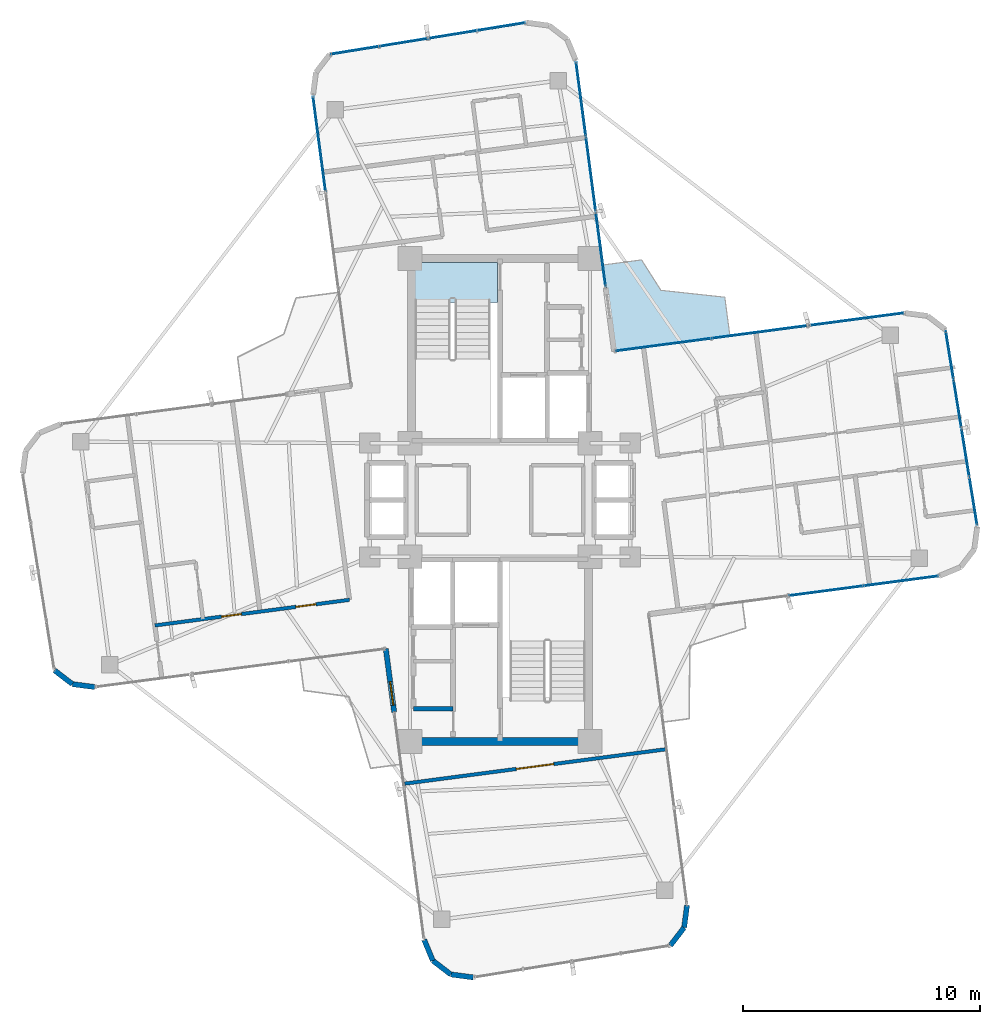
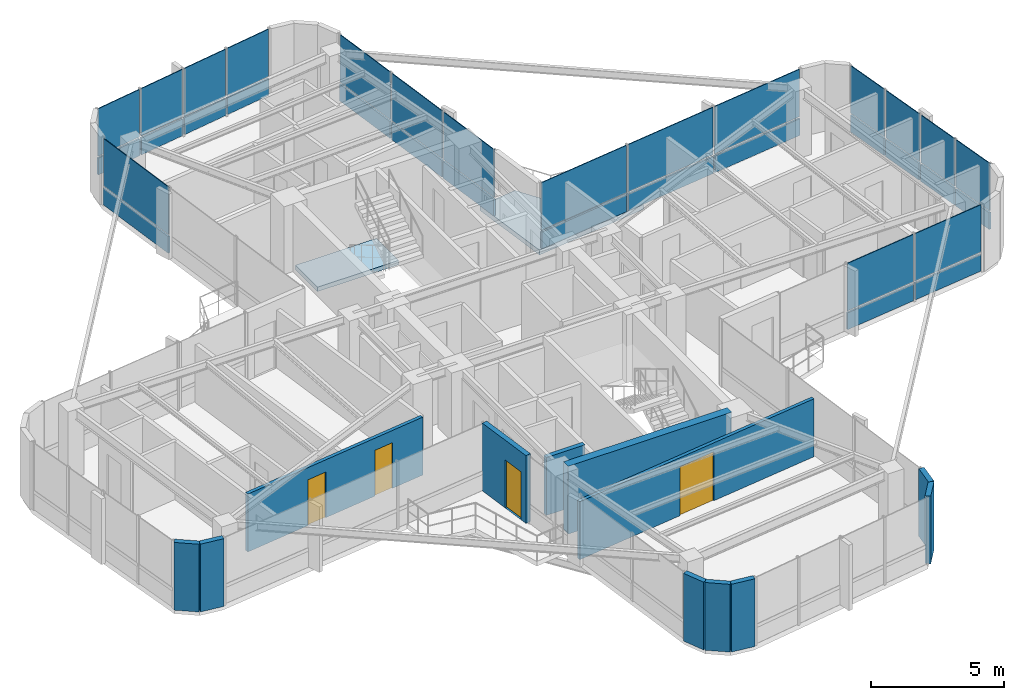
# One storey, part 18 of 22: 34 plates, 12 walls, 4 doors, 2 slabs, 4 openings, 6 elements without a shape of their own.
"""IFC4 building model written with IfcOpenShell, lengths in metres."""

from ifc_helpers import new_model, si_unit, direction, frame, frame_2d, origin, origin_2d, place, context, subcontext, project, spatial, polyline, rectangle, outline, extrude, source, transform, mapped, material, layer, layer_set, type_object, element, fill, aggregate, save


model = new_model("IFC4")

# Units and contexts
model_context = context("Model", 3, precision=1e-05, world=origin(), true_north=direction((0.0, 1.0)))
body_context = subcontext(model_context, "Body", "Model", "MODEL_VIEW")
ifc_project = project(units=[si_unit("LENGTHUNIT", "METRE"), si_unit("AREAUNIT", "SQUARE_METRE"), si_unit("VOLUMEUNIT", "CUBIC_METRE"), si_unit("PLANEANGLEUNIT", "RADIAN"), si_unit("MASSUNIT", "GRAM", prefix="KILO")], contexts=[model_context])

# Site, building, storey
site_placement = place(None, origin())
site = spatial("IfcSite", under=ifc_project, at=site_placement, CompositionType="ELEMENT")
building_placement = place(site_placement, origin())
building = spatial("IfcBuilding", under=site, at=building_placement, Name="Sahyath Konkavel Grand Hotel", CompositionType="ELEMENT")
storey_placement = place(building_placement, frame((0.0, 0.0, 272.449951171875)))
storey = spatial("IfcBuildingStorey", under=building, at=storey_placement, Name="L76", CompositionType="ELEMENT", Elevation=272.449951171875)

# Slabs
ifc_material_1 = material(Name="Concrete C40/50", Category="concrete")
ifc_layer_1 = layer(ifc_material_1, 0.219970703125)
ifc_layer_set_1 = layer_set([ifc_layer_1], Name="Concrete C40/50")
slab_type_1 = type_object("IfcSlabType", Name="SLB-BALCONY-220", PredefinedType="FLOOR", material=ifc_layer_set_1)
slab_1_placement = place(storey_placement, frame((0.0, 0.0, -0.219970703125)))
element("IfcSlab", 1, at=slab_1_placement, inside=storey, type_object=slab_type_1, Name="L76 Winter-Garden Balcony NE", PredefinedType="FLOOR", context=body_context, shape_type="SweptSolid", body=[
    extrude(outline(polyline([(4.821044921875, 6.282958984375), (9.7080078125, 6.926513671875), (9.49267578125, 8.5625), (6.79443359375, 8.8544921875), (5.97802734375, 10.137939453125), (4.342041015625, 9.922607421875), (4.821044921875, 6.282958984375)])), origin(), (0.0, 0.0, 1.0), 0.219970703125),
])
ifc_layer_2 = layer(ifc_material_1, 0.199951171875)
ifc_layer_set_2 = layer_set([ifc_layer_2], Name="Concrete C40/50")
slab_type_2 = type_object("IfcSlabType", Name="SLB-STAIR-LND", PredefinedType="LANDING", material=ifc_layer_set_2)
slab_2_placement = place(storey_placement, frame((0.0, 0.0, -0.199951171875)))
element("IfcSlab", 2, at=slab_2_placement, inside=storey, type_object=slab_type_2, Name="L76 Stair ST-1 Floor Landing Slab", PredefinedType="LANDING", context=body_context, shape_type="SweptSolid", body=[
    extrude(outline(polyline([(-3.6201171875, 8.35009765625), (-0.10009765625, 8.35009765625), (-0.10009765625, 10.02001953125), (-3.6201171875, 10.02001953125), (-3.6201171875, 8.35009765625)])), origin(), (0.0, 0.0, 1.0), 0.199951171875),
])

# Curtain wall, plates
ifc_material_2 = material(Name="Anodised Bronze Aluminium & Low-E Glazing", Category="aluminium")
curtain_wall_type = type_object("IfcCurtainWallType", Name="CW-ZONE4", PredefinedType="NOTDEFINED", material=ifc_material_2)
curtain_wall_1_placement = place(storey_placement, origin())
curtain_wall_1 = element("IfcCurtainWall", 3, at=curtain_wall_1_placement, inside=storey, type_object=curtain_wall_type, Name="L76 Unitised Curtain Wall F0", PredefinedType="NOTDEFINED")
ifc_material_3 = material(Name="Warm Buff Sandstone Cladding", Category="masonry")
ifc_layer_3 = layer(ifc_material_3, 0.074951171875)
ifc_layer_set_3 = layer_set([ifc_layer_3], Name="Warm Buff Sandstone Cladding")
plate_type_1 = type_object("IfcPlateType", Name="PNL-SPANDREL-STONE", PredefinedType="SHEET", material=ifc_layer_set_3)
shared_shape_1 = source(origin(), body_context, "Body", "SweptSolid", [
    extrude(rectangle(XDim=3.123291015625, YDim=0.074951171875, at=origin_2d()), origin(), (0.0, 0.0, 1.0), 0.77001953125),
])
plate_1_placement = place(storey_placement, frame((13.763427734375, -3.836181640625, 0.0400390625), z_axis=(0.0, 0.0, 1.0), x_axis=(0.991444861374, 0.13052619222, 0.0)))
plate_1 = element("IfcPlate", 4, at=plate_1_placement, type_object=plate_type_1, Name="L76 Sandstone Relief Spandrel Panel F0-1", PredefinedType="SHEET", context=body_context, shape_type="MappedRepresentation", body=[
    mapped(shared_shape_1, transform((0.0, 0.0, 0.0), scale=1.0)),
])
plate_2_placement = place(storey_placement, frame((16.939453125, -3.418212890625, 0.0400390625), z_axis=(0.0, 0.0, 1.0), x_axis=(0.991444861374, 0.13052619222, 0.0)))
plate_2 = element("IfcPlate", 5, at=plate_2_placement, type_object=plate_type_1, Name="L76 Sandstone Relief Spandrel Panel F0-2", PredefinedType="SHEET", context=body_context, shape_type="MappedRepresentation", body=[
    mapped(shared_shape_1, transform((0.0, 0.0, 0.0), scale=1.0)),
])

curtain_wall_2_placement = place(storey_placement, origin())
curtain_wall_2 = element("IfcCurtainWall", 6, at=curtain_wall_2_placement, inside=storey, type_object=curtain_wall_type, Name="L76 Unitised Curtain Wall F8", PredefinedType="NOTDEFINED")
plate_3_placement = place(storey_placement, frame((4.25439453125, 10.587646484375, 0.0400390625), z_axis=(0.0, 0.0, 1.0), x_axis=(-0.13052619222, 0.991444861374, 0.0)))
plate_3 = element("IfcPlate", 7, at=plate_3_placement, type_object=plate_type_1, Name="L76 Sandstone Relief Spandrel Panel F8-0", PredefinedType="SHEET", context=body_context, shape_type="MappedRepresentation", body=[
    mapped(shared_shape_1, transform((0.0, 0.0, 0.0), scale=1.0)),
])
plate_4_placement = place(storey_placement, frame((3.836181640625, 13.763427734375, 0.0400390625), z_axis=(0.0, 0.0, 1.0), x_axis=(-0.13052619222, 0.991444861374, 0.0)))
plate_4 = element("IfcPlate", 8, at=plate_4_placement, type_object=plate_type_1, Name="L76 Sandstone Relief Spandrel Panel F8-1", PredefinedType="SHEET", context=body_context, shape_type="MappedRepresentation", body=[
    mapped(shared_shape_1, transform((0.0, 0.0, 0.0), scale=1.0)),
])
plate_5_placement = place(storey_placement, frame((3.418212890625, 16.939453125, 0.0400390625), z_axis=(0.0, 0.0, 1.0), x_axis=(-0.13052619222, 0.991444861374, 0.0)))
plate_5 = element("IfcPlate", 9, at=plate_5_placement, type_object=plate_type_1, Name="L76 Sandstone Relief Spandrel Panel F8-2", PredefinedType="SHEET", context=body_context, shape_type="MappedRepresentation", body=[
    mapped(shared_shape_1, transform((0.0, 0.0, 0.0), scale=1.0)),
])

# Plate
ifc_material_4 = material(Name="Low-E Solar Control Double Glazing", Category="glass")
ifc_layer_4 = layer(ifc_material_4, 0.035888671875)
ifc_layer_set_4 = layer_set([ifc_layer_4], Name="Low-E Solar Control Double Glazing")
plate_type_2 = type_object("IfcPlateType", Name="PNL-VISION-LOWE", PredefinedType="CURTAIN_PANEL", material=ifc_layer_set_4)
shared_shape_2 = source(origin(), body_context, "Body", "SweptSolid", [
    extrude(rectangle(XDim=3.123291015625, YDim=0.035888671875, at=origin_2d()), origin(), (0.0, 0.0, 1.0), 2.179931640625),
])
plate_6_placement = place(storey_placement, frame((13.763427734375, -3.836181640625, 0.89013671875), z_axis=(0.0, 0.0, 1.0), x_axis=(0.991444861374, 0.13052619222, 0.0)))
plate_6 = element("IfcPlate", 10, at=plate_6_placement, type_object=plate_type_2, Name="L76 Low-E Vision Glazing Panel F0-1", PredefinedType="CURTAIN_PANEL", context=body_context, shape_type="MappedRepresentation", body=[
    mapped(shared_shape_2, transform((0.0, 0.0, 0.0), scale=1.0)),
])

plate_7_placement = place(storey_placement, frame((16.939453125, -3.418212890625, 0.89013671875), z_axis=(0.0, 0.0, 1.0), x_axis=(0.991444861374, 0.13052619222, 0.0)))
plate_7 = element("IfcPlate", 11, at=plate_7_placement, type_object=plate_type_2, Name="L76 Low-E Vision Glazing Panel F0-2", PredefinedType="CURTAIN_PANEL", context=body_context, shape_type="MappedRepresentation", body=[
    mapped(shared_shape_2, transform((0.0, 0.0, 0.0), scale=1.0)),
])

aggregate(curtain_wall_1, [plate_1, plate_6, plate_2, plate_7])

plate_8_placement = place(storey_placement, frame((4.25439453125, 10.587646484375, 0.89013671875), z_axis=(0.0, 0.0, 1.0), x_axis=(-0.13052619222, 0.991444861374, 0.0)))
plate_8 = element("IfcPlate", 12, at=plate_8_placement, type_object=plate_type_2, Name="L76 Low-E Vision Glazing Panel F8-0", PredefinedType="CURTAIN_PANEL", context=body_context, shape_type="MappedRepresentation", body=[
    mapped(shared_shape_2, transform((0.0, 0.0, 0.0), scale=1.0)),
])

plate_9_placement = place(storey_placement, frame((3.836181640625, 13.763427734375, 0.89013671875), z_axis=(0.0, 0.0, 1.0), x_axis=(-0.13052619222, 0.991444861374, 0.0)))
plate_9 = element("IfcPlate", 13, at=plate_9_placement, type_object=plate_type_2, Name="L76 Low-E Vision Glazing Panel F8-1", PredefinedType="CURTAIN_PANEL", context=body_context, shape_type="MappedRepresentation", body=[
    mapped(shared_shape_2, transform((0.0, 0.0, 0.0), scale=1.0)),
])

plate_10_placement = place(storey_placement, frame((3.418212890625, 16.939453125, 0.89013671875), z_axis=(0.0, 0.0, 1.0), x_axis=(-0.13052619222, 0.991444861374, 0.0)))
plate_10 = element("IfcPlate", 14, at=plate_10_placement, type_object=plate_type_2, Name="L76 Low-E Vision Glazing Panel F8-2", PredefinedType="CURTAIN_PANEL", context=body_context, shape_type="MappedRepresentation", body=[
    mapped(shared_shape_2, transform((0.0, 0.0, 0.0), scale=1.0)),
])

aggregate(curtain_wall_2, [plate_3, plate_8, plate_4, plate_9, plate_5, plate_10])

# Curtain wall, plates
curtain_wall_3_placement = place(storey_placement, origin())
curtain_wall_3 = element("IfcCurtainWall", 15, at=curtain_wall_3_placement, inside=storey, type_object=curtain_wall_type, Name="L76 Unitised Curtain Wall F4", PredefinedType="NOTDEFINED")
shared_shape_3 = source(origin(), body_context, "Body", "SweptSolid", [
    extrude(rectangle(XDim=2.007080078125, YDim=0.074951171875, at=origin_2d()), origin(), (0.0, 0.0, 1.0), 0.77001953125),
])
plate_11_placement = place(storey_placement, frame((19.98681640625, -0.05859375, 0.0400390625), z_axis=(0.0, 0.0, 1.0), x_axis=(-0.159622750546, 0.987178088041, 0.0)))
plate_11 = element("IfcPlate", 16, at=plate_11_placement, type_object=plate_type_1, Name="L76 Sandstone Relief Spandrel Panel F4-0", PredefinedType="SHEET", context=body_context, shape_type="MappedRepresentation", body=[
    mapped(shared_shape_3, transform((0.0, 0.0, 0.0), scale=1.0)),
])
plate_12_placement = place(storey_placement, frame((19.653564453125, 2.001708984375, 0.0400390625), z_axis=(0.0, 0.0, 1.0), x_axis=(-0.159622750546, 0.987178088041, 0.0)))
plate_12 = element("IfcPlate", 17, at=plate_12_placement, type_object=plate_type_1, Name="L76 Sandstone Relief Spandrel Panel F4-1", PredefinedType="SHEET", context=body_context, shape_type="MappedRepresentation", body=[
    mapped(shared_shape_3, transform((0.0, 0.0, 0.0), scale=1.0)),
])
plate_13_placement = place(storey_placement, frame((19.3203125, 4.062255859375, 0.0400390625), z_axis=(0.0, 0.0, 1.0), x_axis=(-0.159622750546, 0.987178088041, 0.0)))
plate_13 = element("IfcPlate", 18, at=plate_13_placement, type_object=plate_type_1, Name="L76 Sandstone Relief Spandrel Panel F4-2", PredefinedType="SHEET", context=body_context, shape_type="MappedRepresentation", body=[
    mapped(shared_shape_3, transform((0.0, 0.0, 0.0), scale=1.0)),
])
plate_14_placement = place(storey_placement, frame((18.9873046875, 6.12255859375, 0.0400390625), z_axis=(0.0, 0.0, 1.0), x_axis=(-0.159622750546, 0.987178088041, 0.0)))
plate_14 = element("IfcPlate", 19, at=plate_14_placement, type_object=plate_type_1, Name="L76 Sandstone Relief Spandrel Panel F4-3", PredefinedType="SHEET", context=body_context, shape_type="MappedRepresentation", body=[
    mapped(shared_shape_3, transform((0.0, 0.0, 0.0), scale=1.0)),
])

curtain_wall_4_placement = place(storey_placement, origin())
curtain_wall_4 = element("IfcCurtainWall", 20, at=curtain_wall_4_placement, inside=storey, type_object=curtain_wall_type, Name="L76 Unitised Curtain Wall F12", PredefinedType="NOTDEFINED")
plate_15_placement = place(storey_placement, frame((0.05859375, 19.98681640625, 0.0400390625), z_axis=(0.0, 0.0, 1.0), x_axis=(-0.987178088041, -0.159622750546, 0.0)))
plate_15 = element("IfcPlate", 21, at=plate_15_placement, type_object=plate_type_1, Name="L76 Sandstone Relief Spandrel Panel F12-0", PredefinedType="SHEET", context=body_context, shape_type="MappedRepresentation", body=[
    mapped(shared_shape_3, transform((0.0, 0.0, 0.0), scale=1.0)),
])
plate_16_placement = place(storey_placement, frame((-2.001708984375, 19.653564453125, 0.0400390625), z_axis=(0.0, 0.0, 1.0), x_axis=(-0.987178088041, -0.159622750546, 0.0)))
plate_16 = element("IfcPlate", 22, at=plate_16_placement, type_object=plate_type_1, Name="L76 Sandstone Relief Spandrel Panel F12-1", PredefinedType="SHEET", context=body_context, shape_type="MappedRepresentation", body=[
    mapped(shared_shape_3, transform((0.0, 0.0, 0.0), scale=1.0)),
])
plate_17_placement = place(storey_placement, frame((-4.062255859375, 19.3203125, 0.0400390625), z_axis=(0.0, 0.0, 1.0), x_axis=(-0.987178088041, -0.159622750546, 0.0)))
plate_17 = element("IfcPlate", 23, at=plate_17_placement, type_object=plate_type_1, Name="L76 Sandstone Relief Spandrel Panel F12-2", PredefinedType="SHEET", context=body_context, shape_type="MappedRepresentation", body=[
    mapped(shared_shape_3, transform((0.0, 0.0, 0.0), scale=1.0)),
])
plate_18_placement = place(storey_placement, frame((-6.12255859375, 18.9873046875, 0.0400390625), z_axis=(0.0, 0.0, 1.0), x_axis=(-0.987178088041, -0.159622750546, 0.0)))
plate_18 = element("IfcPlate", 24, at=plate_18_placement, type_object=plate_type_1, Name="L76 Sandstone Relief Spandrel Panel F12-3", PredefinedType="SHEET", context=body_context, shape_type="MappedRepresentation", body=[
    mapped(shared_shape_3, transform((0.0, 0.0, 0.0), scale=1.0)),
])

# Plate
shared_shape_4 = source(origin(), body_context, "Body", "SweptSolid", [
    extrude(rectangle(XDim=2.007080078125, YDim=0.035888671875, at=origin_2d()), origin(), (0.0, 0.0, 1.0), 2.179931640625),
])
plate_19_placement = place(storey_placement, frame((19.98681640625, -0.05859375, 0.89013671875), z_axis=(0.0, 0.0, 1.0), x_axis=(-0.159622750546, 0.987178088041, 0.0)))
plate_19 = element("IfcPlate", 25, at=plate_19_placement, type_object=plate_type_2, Name="L76 Low-E Vision Glazing Panel F4-0", PredefinedType="CURTAIN_PANEL", context=body_context, shape_type="MappedRepresentation", body=[
    mapped(shared_shape_4, transform((0.0, 0.0, 0.0), scale=1.0)),
])

plate_20_placement = place(storey_placement, frame((19.653564453125, 2.001708984375, 0.89013671875), z_axis=(0.0, 0.0, 1.0), x_axis=(-0.159622750546, 0.987178088041, 0.0)))
plate_20 = element("IfcPlate", 26, at=plate_20_placement, type_object=plate_type_2, Name="L76 Low-E Vision Glazing Panel F4-1", PredefinedType="CURTAIN_PANEL", context=body_context, shape_type="MappedRepresentation", body=[
    mapped(shared_shape_4, transform((0.0, 0.0, 0.0), scale=1.0)),
])

plate_21_placement = place(storey_placement, frame((19.3203125, 4.062255859375, 0.89013671875), z_axis=(0.0, 0.0, 1.0), x_axis=(-0.159622750546, 0.987178088041, 0.0)))
plate_21 = element("IfcPlate", 27, at=plate_21_placement, type_object=plate_type_2, Name="L76 Low-E Vision Glazing Panel F4-2", PredefinedType="CURTAIN_PANEL", context=body_context, shape_type="MappedRepresentation", body=[
    mapped(shared_shape_4, transform((0.0, 0.0, 0.0), scale=1.0)),
])

plate_22_placement = place(storey_placement, frame((18.9873046875, 6.12255859375, 0.89013671875), z_axis=(0.0, 0.0, 1.0), x_axis=(-0.159622750546, 0.987178088041, 0.0)))
plate_22 = element("IfcPlate", 28, at=plate_22_placement, type_object=plate_type_2, Name="L76 Low-E Vision Glazing Panel F4-3", PredefinedType="CURTAIN_PANEL", context=body_context, shape_type="MappedRepresentation", body=[
    mapped(shared_shape_4, transform((0.0, 0.0, 0.0), scale=1.0)),
])

aggregate(curtain_wall_3, [plate_11, plate_19, plate_12, plate_20, plate_13, plate_21, plate_14, plate_22])

plate_23_placement = place(storey_placement, frame((0.05859375, 19.98681640625, 0.89013671875), z_axis=(0.0, 0.0, 1.0), x_axis=(-0.987178088041, -0.159622750546, 0.0)))
plate_23 = element("IfcPlate", 29, at=plate_23_placement, type_object=plate_type_2, Name="L76 Low-E Vision Glazing Panel F12-0", PredefinedType="CURTAIN_PANEL", context=body_context, shape_type="MappedRepresentation", body=[
    mapped(shared_shape_4, transform((0.0, 0.0, 0.0), scale=1.0)),
])

plate_24_placement = place(storey_placement, frame((-2.001708984375, 19.653564453125, 0.89013671875), z_axis=(0.0, 0.0, 1.0), x_axis=(-0.987178088041, -0.159622750546, 0.0)))
plate_24 = element("IfcPlate", 30, at=plate_24_placement, type_object=plate_type_2, Name="L76 Low-E Vision Glazing Panel F12-1", PredefinedType="CURTAIN_PANEL", context=body_context, shape_type="MappedRepresentation", body=[
    mapped(shared_shape_4, transform((0.0, 0.0, 0.0), scale=1.0)),
])

plate_25_placement = place(storey_placement, frame((-4.062255859375, 19.3203125, 0.89013671875), z_axis=(0.0, 0.0, 1.0), x_axis=(-0.987178088041, -0.159622750546, 0.0)))
plate_25 = element("IfcPlate", 31, at=plate_25_placement, type_object=plate_type_2, Name="L76 Low-E Vision Glazing Panel F12-2", PredefinedType="CURTAIN_PANEL", context=body_context, shape_type="MappedRepresentation", body=[
    mapped(shared_shape_4, transform((0.0, 0.0, 0.0), scale=1.0)),
])

plate_26_placement = place(storey_placement, frame((-6.12255859375, 18.9873046875, 0.89013671875), z_axis=(0.0, 0.0, 1.0), x_axis=(-0.987178088041, -0.159622750546, 0.0)))
plate_26 = element("IfcPlate", 32, at=plate_26_placement, type_object=plate_type_2, Name="L76 Low-E Vision Glazing Panel F12-3", PredefinedType="CURTAIN_PANEL", context=body_context, shape_type="MappedRepresentation", body=[
    mapped(shared_shape_4, transform((0.0, 0.0, 0.0), scale=1.0)),
])

aggregate(curtain_wall_4, [plate_15, plate_23, plate_16, plate_24, plate_17, plate_25, plate_18, plate_26])

# Curtain wall, plates
curtain_wall_5_placement = place(storey_placement, origin())
curtain_wall_5 = element("IfcCurtainWall", 33, at=curtain_wall_5_placement, inside=storey, type_object=curtain_wall_type, Name="L76 Unitised Curtain Wall F7", PredefinedType="NOTDEFINED")
shared_shape_5 = source(origin(), body_context, "Body", "SweptSolid", [
    extrude(rectangle(XDim=4.023193359375, YDim=0.074951171875, at=origin_2d()), origin(), (0.0, 0.0, 1.0), 0.77001953125),
])
plate_27_placement = place(storey_placement, frame((15.03125, 7.627197265625, 0.0400390625), z_axis=(0.0, 0.0, 1.0), x_axis=(-0.991444861374, -0.13052619222, 0.0)))
plate_27 = element("IfcPlate", 34, at=plate_27_placement, type_object=plate_type_1, Name="L76 Sandstone Relief Spandrel Panel F7-0", PredefinedType="SHEET", context=body_context, shape_type="MappedRepresentation", body=[
    mapped(shared_shape_5, transform((0.0, 0.0, 0.0), scale=1.0)),
])
plate_28_placement = place(storey_placement, frame((10.963134765625, 7.091552734375, 0.0400390625), z_axis=(0.0, 0.0, 1.0), x_axis=(-0.991444861374, -0.13052619222, 0.0)))
plate_28 = element("IfcPlate", 35, at=plate_28_placement, type_object=plate_type_1, Name="L76 Sandstone Relief Spandrel Panel F7-1", PredefinedType="SHEET", context=body_context, shape_type="MappedRepresentation", body=[
    mapped(shared_shape_5, transform((0.0, 0.0, 0.0), scale=1.0)),
])
plate_29_placement = place(storey_placement, frame((6.89501953125, 6.555908203125, 0.0400390625), z_axis=(0.0, 0.0, 1.0), x_axis=(-0.991444861374, -0.13052619222, 0.0)))
plate_29 = element("IfcPlate", 36, at=plate_29_placement, type_object=plate_type_1, Name="L76 Sandstone Relief Spandrel Panel F7-2", PredefinedType="SHEET", context=body_context, shape_type="MappedRepresentation", body=[
    mapped(shared_shape_5, transform((0.0, 0.0, 0.0), scale=1.0)),
])

# Curtain wall, plate
curtain_wall_6_placement = place(storey_placement, origin())
curtain_wall_6 = element("IfcCurtainWall", 37, at=curtain_wall_6_placement, inside=storey, type_object=curtain_wall_type, Name="L76 Unitised Curtain Wall F15", PredefinedType="NOTDEFINED")
plate_30_placement = place(storey_placement, frame((-7.627197265625, 15.03125, 0.0400390625), z_axis=(0.0, 0.0, 1.0), x_axis=(0.13052619222, -0.991444861374, 0.0)))
plate_30 = element("IfcPlate", 38, at=plate_30_placement, type_object=plate_type_1, Name="L76 Sandstone Relief Spandrel Panel F15-0", PredefinedType="SHEET", context=body_context, shape_type="MappedRepresentation", body=[
    mapped(shared_shape_5, transform((0.0, 0.0, 0.0), scale=1.0)),
])

# Plate
shared_shape_6 = source(origin(), body_context, "Body", "SweptSolid", [
    extrude(rectangle(XDim=4.023193359375, YDim=0.035888671875, at=origin_2d()), origin(), (0.0, 0.0, 1.0), 2.179931640625),
])
plate_31_placement = place(storey_placement, frame((15.03125, 7.627197265625, 0.89013671875), z_axis=(0.0, 0.0, 1.0), x_axis=(-0.991444861374, -0.13052619222, 0.0)))
plate_31 = element("IfcPlate", 39, at=plate_31_placement, type_object=plate_type_2, Name="L76 Low-E Vision Glazing Panel F7-0", PredefinedType="CURTAIN_PANEL", context=body_context, shape_type="MappedRepresentation", body=[
    mapped(shared_shape_6, transform((0.0, 0.0, 0.0), scale=1.0)),
])

plate_32_placement = place(storey_placement, frame((10.963134765625, 7.091552734375, 0.89013671875), z_axis=(0.0, 0.0, 1.0), x_axis=(-0.991444861374, -0.13052619222, 0.0)))
plate_32 = element("IfcPlate", 40, at=plate_32_placement, type_object=plate_type_2, Name="L76 Low-E Vision Glazing Panel F7-1", PredefinedType="CURTAIN_PANEL", context=body_context, shape_type="MappedRepresentation", body=[
    mapped(shared_shape_6, transform((0.0, 0.0, 0.0), scale=1.0)),
])

plate_33_placement = place(storey_placement, frame((6.89501953125, 6.555908203125, 0.89013671875), z_axis=(0.0, 0.0, 1.0), x_axis=(-0.991444861374, -0.13052619222, 0.0)))
plate_33 = element("IfcPlate", 41, at=plate_33_placement, type_object=plate_type_2, Name="L76 Low-E Vision Glazing Panel F7-2", PredefinedType="CURTAIN_PANEL", context=body_context, shape_type="MappedRepresentation", body=[
    mapped(shared_shape_6, transform((0.0, 0.0, 0.0), scale=1.0)),
])

aggregate(curtain_wall_5, [plate_27, plate_31, plate_28, plate_32, plate_29, plate_33])

plate_34_placement = place(storey_placement, frame((-7.627197265625, 15.03125, 0.89013671875), z_axis=(0.0, 0.0, 1.0), x_axis=(0.13052619222, -0.991444861374, 0.0)))
plate_34 = element("IfcPlate", 42, at=plate_34_placement, type_object=plate_type_2, Name="L76 Low-E Vision Glazing Panel F15-0", PredefinedType="CURTAIN_PANEL", context=body_context, shape_type="MappedRepresentation", body=[
    mapped(shared_shape_6, transform((0.0, 0.0, 0.0), scale=1.0)),
])

aggregate(curtain_wall_6, [plate_30, plate_34])

# Walls
ifc_layer_5 = layer(ifc_material_1, 0.35009765625)
ifc_layer_set_5 = layer_set([ifc_layer_5], Name="Concrete C40/50")
wall_type_1 = type_object("IfcWallType", Name="CWALL-350", PredefinedType="SHEAR", material=ifc_layer_set_5)
wall_1_placement = place(storey_placement, frame((-3.550048828125, -10.199951171875, 0.0), z_axis=(0.0, 0.0, 1.0), x_axis=(1.0, 0.0, 0.0)))
element("IfcWall", 43, at=wall_1_placement, inside=storey, type_object=wall_type_1, Name="L76 South Core Shear Wall S", PredefinedType="SHEAR", context=body_context, shape_type="SweptSolid", body=[
    extrude(rectangle(XDim=7.10009765625, YDim=0.35009765625, at=frame_2d((3.550048828125, 0.0))), origin(), (0.0, 0.0, 1.0), 3.110107421875),
])
ifc_material_5 = material(Name="Warm Buff Sandstone Insulated Concrete C40/50", Category="masonry")
ifc_layer_6 = layer(ifc_material_5, 0.219970703125)
ifc_layer_set_6 = layer_set([ifc_layer_6], Name="Warm Buff Sandstone Insulated Concrete C40/50")
wall_type_2 = type_object("IfcWallType", Name="WLL-BALC-THRESH", PredefinedType="STANDARD", material=ifc_layer_set_6)
wall_2_placement = place(storey_placement, frame((-18.814208984375, -7.1923828125, 0.0), z_axis=(0.0, 0.0, 1.0), x_axis=(0.793249178392, -0.608897151398, 0.0)))
element("IfcWall", 44, at=wall_2_placement, inside=storey, type_object=wall_type_2, Name="L76 Rounded Corner Sandstone Pier 21", PredefinedType="STANDARD", context=body_context, shape_type="SweptSolid", body=[
    extrude(rectangle(XDim=0.95751953125, YDim=0.219970703125, at=frame_2d((0.478759765625, 0.0))), origin(), (0.0, 0.0, 1.0), 3.110107421875),
])
wall_3_placement = place(storey_placement, frame((-18.0546875, -7.775390625, 0.0), z_axis=(0.0, 0.0, 1.0), x_axis=(0.991449089759, -0.130494070426, 0.0)))
element("IfcWall", 45, at=wall_3_placement, inside=storey, type_object=wall_type_2, Name="L76 Rounded Corner Sandstone Pier 22", PredefinedType="STANDARD", context=body_context, shape_type="SweptSolid", body=[
    extrude(rectangle(XDim=0.9580078125, YDim=0.219970703125, at=frame_2d((0.47900390625, 0.0))), origin(), (0.0, 0.0, 1.0), 3.110107421875),
])

# Wall, opening, door
wall_4_placement = place(storey_placement, frame((-4.821044921875, -6.282958984375, 0.0), z_axis=(0.0, 0.0, 1.0), x_axis=(0.130475563272, -0.991451525486, 0.0)))
wall_4 = element("IfcWall", 46, at=wall_4_placement, inside=storey, type_object=wall_type_2, Name="L76 Winter-Garden Threshold Wall 24", PredefinedType="STANDARD", context=body_context, shape_type="SweptSolid", body=[
    extrude(rectangle(XDim=2.7001953125, YDim=0.219970703125, at=frame_2d((1.35009765625, 0.0))), origin(), (0.0, 0.0, 1.0), 3.110107421875),
])
opening_1_placement = place(wall_4_placement, frame((1.39990234375, 0.0, 0.0)))
opening_1 = element("IfcOpeningElement", 47, at=opening_1_placement, cuts=wall_4, Name="Opening D-TR1", PredefinedType="OPENING", context=body_context, shape_type="SweptSolid", body=[
    extrude(rectangle(XDim=1.0, YDim=2.199951171875, at=frame_2d((0.5, 1.10009765625))), frame((0.0, 0.1201171875, 0.0), z_axis=(0.0, -1.0, 0.0), x_axis=(1.0, 0.0, 0.0)), (0.0, 0.0, 1.0), 0.239990234375),
])
door_type_1 = type_object("IfcDoorType", Name="DR-TERRACE-1000", OperationType="NOTDEFINED", PredefinedType="DOOR", material=ifc_material_2)
shared_shape_7 = source(origin(), body_context, "Body", "SweptSolid", [
    extrude(rectangle(XDim=1.0, YDim=0.050048828125, at=origin_2d()), origin(), (0.0, 0.0, 1.0), 2.199951171875),
])
door_1_placement = place(opening_1_placement, frame((0.5, 0.0, 0.0)))
door_1 = element("IfcDoor", 48, at=door_1_placement, inside=storey, type_object=door_type_1, Name="L76 Winter-Garden Terrace Door 24", OperationType="SINGLE_SWING_LEFT", OverallHeight=2.199951171875, OverallWidth=1.0, PredefinedType="DOOR", context=body_context, shape_type="MappedRepresentation", body=[
    mapped(shared_shape_7, transform((0.0, 0.0, 0.0), scale=1.0)),
])
fill(opening_1, door_1)

# Walls
wall_5_placement = place(storey_placement, frame((-3.203857421875, -18.56689453125, 0.0), z_axis=(0.0, 0.0, 1.0), x_axis=(0.382569397359, -0.923926759112, 0.0)))
element("IfcWall", 49, at=wall_5_placement, inside=storey, type_object=wall_type_2, Name="L76 Rounded Corner Sandstone Pier 25", PredefinedType="STANDARD", context=body_context, shape_type="SweptSolid", body=[
    extrude(rectangle(XDim=0.957763671875, YDim=0.219970703125, at=frame_2d((0.47900390625, 0.0))), origin(), (0.0, 0.0, 1.0), 3.110107421875),
])
for number, where, z_axis, x_axis, name in (
    (50, (-2.83740234375, -19.451904296875, 0.0), (0.0, 0.0, 1.0), (0.793466811674, -0.60861352168, 0.0), "L76 Rounded Corner Sandstone Pier 26"),
    (51, (-2.07763671875, -20.03466796875, 0.0), (0.0, 0.0, 1.0), (0.991440402921, -0.13056005306, 0.0), "L76 Rounded Corner Sandstone Pier 27"),
    (52, (7.1923828125, -18.814208984375, 0.0), (0.0, 0.0, 1.0), (0.608897151398, 0.793249178392, 0.0), "L76 Rounded Corner Sandstone Pier 29"),
):
    element("IfcWall", number, at=place(storey_placement, frame(where, z_axis=z_axis, x_axis=x_axis)), inside=storey, type_object=wall_type_2, Name=name, PredefinedType="STANDARD", context=body_context, shape_type="SweptSolid", body=[
        extrude(rectangle(XDim=0.95751953125, YDim=0.219970703125, at=frame_2d((0.478759765625, 0.0))), origin(), (0.0, 0.0, 1.0), 3.110107421875),
    ])
wall_6_placement = place(storey_placement, frame((7.775390625, -18.0546875, 0.0), z_axis=(0.0, 0.0, 1.0), x_axis=(0.130494070426, 0.991449089759, 0.0)))
element("IfcWall", 53, at=wall_6_placement, inside=storey, type_object=wall_type_2, Name="L76 Rounded Corner Sandstone Pier 30", PredefinedType="STANDARD", context=body_context, shape_type="SweptSolid", body=[
    extrude(rectangle(XDim=0.9580078125, YDim=0.219970703125, at=frame_2d((0.47900390625, 0.0))), origin(), (0.0, 0.0, 1.0), 3.110107421875),
])
ifc_layer_7 = layer(ifc_material_1, 0.199951171875)
ifc_layer_set_7 = layer_set([ifc_layer_7], Name="Concrete C40/50")
wall_type_3 = type_object("IfcWallType", Name="WLL-CORE-200", PredefinedType="SOLIDWALL", material=ifc_layer_set_7)
wall_7_placement = place(storey_placement, frame((-3.64990234375, -8.81005859375, 0.0), z_axis=(0.0, 0.0, 1.0), x_axis=(1.0, 0.0, 0.0)))
element("IfcWall", 54, at=wall_7_placement, inside=storey, type_object=wall_type_3, Name="L76 Partition SC-REC-S", PredefinedType="SOLIDWALL", context=body_context, shape_type="SweptSolid", body=[
    extrude(rectangle(XDim=1.669921875, YDim=0.199951171875, at=frame_2d((0.8349609375, 0.0))), origin(), (0.0, 0.0, 1.0), 2.66015625),
])

# Wall, openings, doors
ifc_material_6 = material(Name="Fire-Rated Gypsum Plasterboard Partition")
ifc_layer_8 = layer(ifc_material_6, 0.14990234375)
ifc_layer_set_8 = layer_set([ifc_layer_8], Name="Fire-Rated Gypsum Plasterboard Partition")
wall_type_4 = type_object("IfcWallType", Name="WLL-PART-150", PredefinedType="PARTITIONING", material=ifc_layer_set_8)
wall_8_placement = place(storey_placement, frame((-6.35400390625, -4.21533203125, 0.0), z_axis=(0.0, 0.0, 1.0), x_axis=(-0.991441861772, -0.130548974432, 0.0)))
wall_8 = element("IfcWall", 55, at=wall_8_placement, inside=storey, type_object=wall_type_4, Name="L76 Partition W-G5W", PredefinedType="PARTITIONING", context=body_context, shape_type="SweptSolid", body=[
    extrude(rectangle(XDim=8.290283203125, YDim=0.14990234375, at=frame_2d((4.14501953125, 0.0))), origin(), (0.0, 0.0, 1.0), 2.66015625),
])
opening_2_placement = place(wall_8_placement, frame((1.430908203125, 0.0, 0.0)))
opening_2 = element("IfcOpeningElement", 56, at=opening_2_placement, cuts=wall_8, Name="Opening D-F06D", PredefinedType="OPENING", context=body_context, shape_type="SweptSolid", body=[
    extrude(rectangle(XDim=0.85009765625, YDim=2.10009765625, at=frame_2d((0.425048828125, 1.050048828125))), frame((0.0, 0.0849609375, 0.0), z_axis=(0.0, -1.0, 0.0), x_axis=(1.0, 0.0, 0.0)), (0.0, 0.0, 1.0), 0.169921875),
])
opening_3_placement = place(wall_8_placement, frame((4.60205078125, 0.0, 0.0)))
opening_3 = element("IfcOpeningElement", 57, at=opening_3_placement, cuts=wall_8, Name="Opening D-F06D", PredefinedType="OPENING", context=body_context, shape_type="SweptSolid", body=[
    extrude(rectangle(XDim=0.85009765625, YDim=2.10009765625, at=frame_2d((0.425048828125, 1.050048828125))), frame((0.0, 0.0849609375, 0.0), z_axis=(0.0, -1.0, 0.0), x_axis=(1.0, 0.0, 0.0)), (0.0, 0.0, 1.0), 0.169921875),
])
ifc_material_7 = material(Name="Fire-Rated Shaft Access Door")
door_type_2 = type_object("IfcDoorType", Name="DR-FD60-850", OperationType="NOTDEFINED", PredefinedType="DOOR", material=ifc_material_7)
shared_shape_8 = source(origin(), body_context, "Body", "SweptSolid", [
    extrude(rectangle(XDim=0.85009765625, YDim=0.050048828125, at=origin_2d()), origin(), (0.0, 0.0, 1.0), 2.10009765625),
])
door_2_placement = place(opening_2_placement, frame((0.425048828125, 0.0, 0.0)))
door_2 = element("IfcDoor", 58, at=door_2_placement, inside=storey, type_object=door_type_2, Name="L76 Door W-WD1-D", OperationType="SINGLE_SWING_RIGHT", OverallHeight=2.10009765625, OverallWidth=0.85009765625, PredefinedType="DOOR", context=body_context, shape_type="MappedRepresentation", body=[
    mapped(shared_shape_8, transform((0.0, 0.0, 0.0), scale=1.0)),
])
fill(opening_2, door_2)
door_3_placement = place(opening_3_placement, frame((0.425048828125, 0.0, 0.0)))
door_3 = element("IfcDoor", 59, at=door_3_placement, inside=storey, type_object=door_type_2, Name="L76 Door W-WD2-ED", OperationType="SINGLE_SWING_RIGHT", OverallHeight=2.10009765625, OverallWidth=0.85009765625, PredefinedType="DOOR", context=body_context, shape_type="MappedRepresentation", body=[
    mapped(shared_shape_8, transform((0.0, 0.0, 0.0), scale=1.0)),
])
fill(opening_3, door_3)

# Wall, opening, door
wall_9_placement = place(storey_placement, frame((-4.02099609375, -11.977294921875, 0.0), z_axis=(0.0, 0.0, 1.0), x_axis=(0.991445908749, 0.130518236368, 0.0)))
wall_9 = element("IfcWall", 60, at=wall_9_placement, inside=storey, type_object=wall_type_4, Name="L76 Partition S-SAL-IN", PredefinedType="PARTITIONING", context=body_context, shape_type="SweptSolid", body=[
    extrude(rectangle(XDim=11.099853515625, YDim=0.14990234375, at=frame_2d((5.5498046875, 0.0))), origin(), (0.0, 0.0, 1.0), 2.66015625),
])
opening_4_placement = place(wall_9_placement, frame((4.75, 0.0, 0.0)))
opening_4 = element("IfcOpeningElement", 61, at=opening_4_placement, cuts=wall_9, Name="Opening D-DB16", PredefinedType="OPENING", context=body_context, shape_type="SweptSolid", body=[
    extrude(rectangle(XDim=1.60009765625, YDim=2.25, at=frame_2d((0.800048828125, 1.125))), frame((0.0, 0.0849609375, 0.0), z_axis=(0.0, -1.0, 0.0), x_axis=(1.0, 0.0, 0.0)), (0.0, 0.0, 1.0), 0.169921875),
])
ifc_material_8 = material(Name="Double Leaf Lounge Glazed Timber Door", Category="wood")
door_type_3 = type_object("IfcDoorType", Name="DR-DBL-1600", OperationType="DOUBLE_DOOR_SINGLE_SWING", PredefinedType="DOOR", material=ifc_material_8)
shared_shape_9 = source(origin(), body_context, "Body", "SweptSolid", [
    extrude(rectangle(XDim=1.60009765625, YDim=0.050048828125, at=origin_2d()), origin(), (0.0, 0.0, 1.0), 2.25),
])
door_4_placement = place(opening_4_placement, frame((0.800048828125, 0.0, 0.0)))
door_4 = element("IfcDoor", 62, at=door_4_placement, inside=storey, type_object=door_type_3, Name="L76 Door S-SAL-D", OperationType="DOUBLE_DOOR_SINGLE_SWING", OverallHeight=2.25, OverallWidth=1.60009765625, PredefinedType="DOOR", context=body_context, shape_type="MappedRepresentation", body=[
    mapped(shared_shape_9, transform((0.0, 0.0, 0.0), scale=1.0)),
])
fill(opening_4, door_4)

save(model, "model.ifc")
